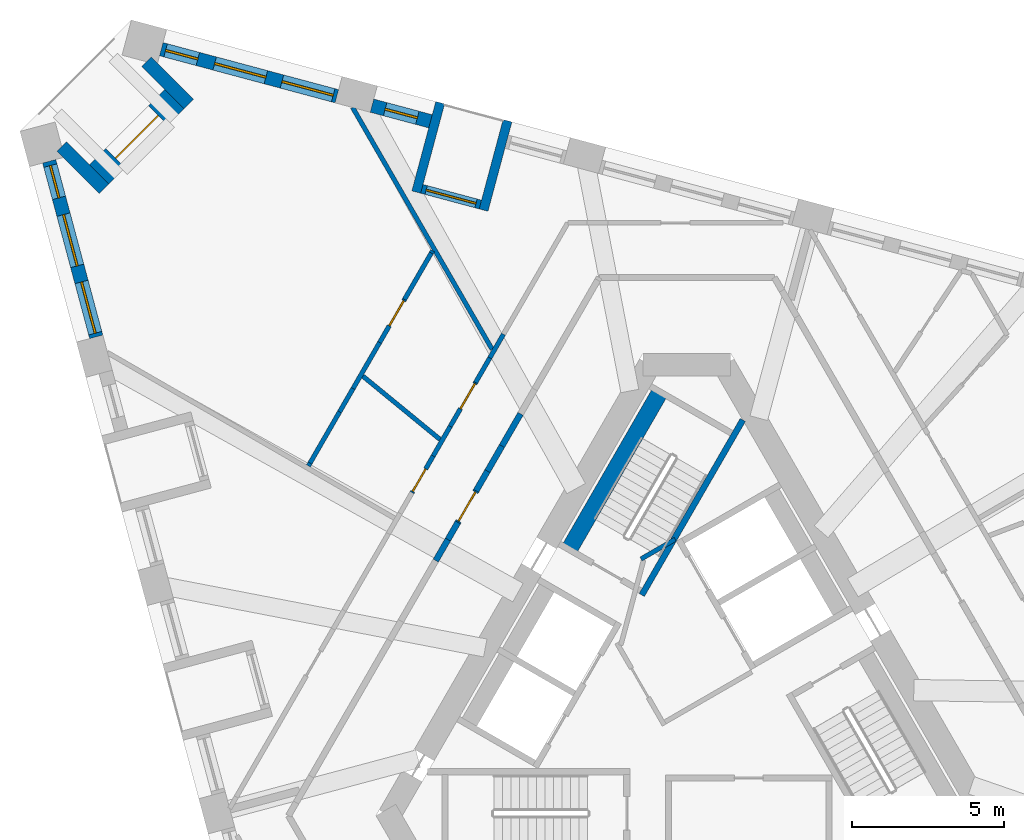
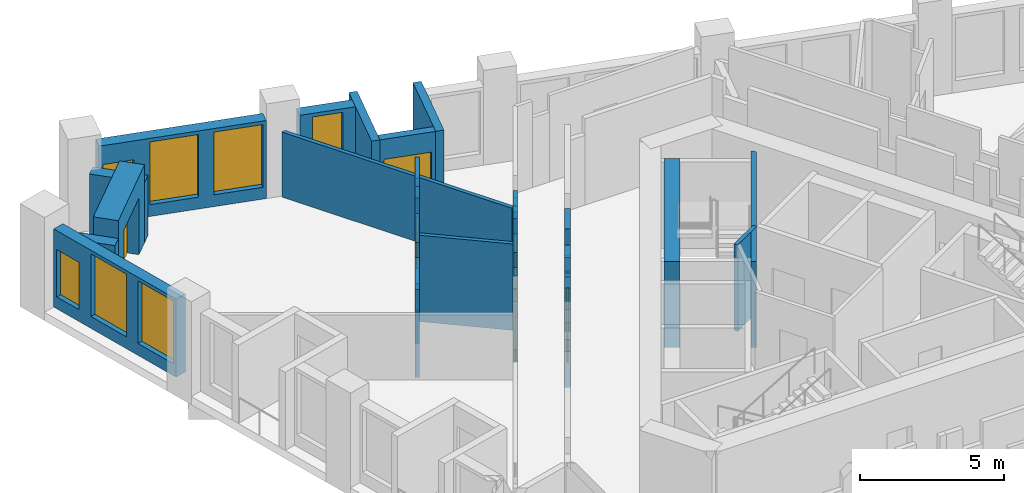
# One storey, part 7 of 13: 32 walls, 7 windows, 6 doors, 13 openings.
"""IFC4 building model written with IfcOpenShell, lengths in metres."""

from ifc_helpers import new_model, si_unit, direction, frame, frame_2d, origin, place, context, subcontext, project, spatial, polyline, rectangle, outline, extrude, material, layer, layer_set, type_object, element, fill, save


model = new_model("IFC4")

# Units and contexts
model_context = context("Model", 3, precision=1e-05, world=origin(), true_north=direction((0.0, 1.0)))
body_context = subcontext(model_context, "Body", "Model", "MODEL_VIEW")
ifc_project = project(units=[si_unit("LENGTHUNIT", "METRE"), si_unit("AREAUNIT", "SQUARE_METRE"), si_unit("VOLUMEUNIT", "CUBIC_METRE"), si_unit("PLANEANGLEUNIT", "RADIAN"), si_unit("MASSUNIT", "GRAM", prefix="KILO")], contexts=[model_context])

# Site, building, storey
site_placement = place(None, origin())
site = spatial("IfcSite", under=ifc_project, at=site_placement, CompositionType="ELEMENT")
building_placement = place(site_placement, origin())
building = spatial("IfcBuilding", under=site, at=building_placement, Name="Tramontana Tower", CompositionType="ELEMENT")
storey_placement = place(building_placement, frame((0.0, 0.0, 200.0)))
storey = spatial("IfcBuildingStorey", under=building, at=storey_placement, Name="L46", CompositionType="ELEMENT", Elevation=200.0)

# Walls
ifc_material_1 = material(Name="Blockwork", Category="masonry")
ifc_layer_1 = layer(ifc_material_1, 0.199951171875)
ifc_layer_set_1 = layer_set([ifc_layer_1], Name="ENTRY WALL 200")
wall_type_1 = type_object("IfcWallType", Name="ENTRY WALL 200", PredefinedType="SOLIDWALL", material=ifc_layer_set_1)
wall_1_placement = place(storey_placement, frame((-8.2783203125, 4.16162109375, 0.0), z_axis=(0.0, 0.0, 1.0), x_axis=(0.500109828528, 0.865961984968, 0.0)))
element("IfcWall", 1, at=wall_1_placement, inside=storey, type_object=wall_type_1, Name="Wall v50-ew4-5", PredefinedType="SOLIDWALL", context=body_context, shape_type="SweptSolid", body=[
    extrude(rectangle(XDim=0.800048828125, YDim=0.199951171875, at=frame_2d((0.39990234375, 0.0))), origin(), (0.0, 0.0, 1.0), 2.75),
])
wall_2_placement = place(storey_placement, frame((-7.878173828125, 4.8544921875, 0.0), z_axis=(0.0, 0.0, 1.0), x_axis=(0.499776065732, 0.866154653697, 0.0)))
element("IfcWall", 2, at=wall_2_placement, inside=storey, type_object=wall_type_1, Name="Wall v50-ew4-6", PredefinedType="SOLIDWALL", context=body_context, shape_type="SweptSolid", body=[
    extrude(rectangle(XDim=0.656982421875, YDim=0.199951171875, at=frame_2d((0.32861328125, 0.0))), origin(), (0.0, 0.0, 1.0), 3.64990234375),
])

# Wall, opening, door
wall_3_placement = place(storey_placement, frame((-7.5498046875, 5.423583984375, 0.0), z_axis=(0.0, 0.0, 1.0), x_axis=(0.500033551112, 0.866006032174, 0.0)))
wall_3 = element("IfcWall", 3, at=wall_3_placement, inside=storey, type_object=wall_type_1, Name="Wall v50-ew4-7", PredefinedType="SOLIDWALL", context=body_context, shape_type="SweptSolid", body=[
    extrude(outline(polyline([(0.0, 0.0), (1.2001953125, 0.0), (1.199951171875, 2.550048828125), (0.2666015625, 2.550048828125), (0.2666015625, 3.64990234375), (0.0, 3.64990234375), (0.0, 0.0)])), frame((0.0, 0.10009765625, 0.0), z_axis=(0.0, -1.0, 0.0), x_axis=(1.0, 0.0, 0.0)), (0.0, 0.0, 1.0), 0.199951171875),
])
opening_1_placement = place(wall_3_placement, frame((0.050048828125, 0.0, 0.0)))
opening_1 = element("IfcOpeningElement", 4, at=opening_1_placement, cuts=wall_3, Name="Opening B5A-22", PredefinedType="OPENING", context=body_context, shape_type="SweptSolid", body=[
    extrude(rectangle(XDim=1.10009765625, YDim=2.39990234375, at=frame_2d((0.550048828125, 1.199951171875))), frame((0.0, 0.10986328125, 0.0), z_axis=(0.0, -1.0, 0.0), x_axis=(1.0, 0.0, 0.0)), (0.0, 0.0, 1.0), 0.219970703125),
])
ifc_material_2 = material(Name="Painted timber", Category="wood")
door_type_1 = type_object("IfcDoorType", Name="DOOR ENTRY 1100", OperationType="SINGLE_SWING_LEFT", PredefinedType="DOOR", material=ifc_material_2)
door_1_placement = place(opening_1_placement, origin())
door_1 = element("IfcDoor", 5, at=door_1_placement, inside=storey, type_object=door_type_1, Name="Door B5A-22", OperationType="SINGLE_SWING_RIGHT", OverallHeight=2.39990234375, OverallWidth=1.10009765625, PredefinedType="DOOR", context=body_context, shape_type="SweptSolid", body=[
    extrude(rectangle(XDim=1.10009765625, YDim=2.39990234375, at=frame_2d((0.550048828125, 1.199951171875))), frame((0.0, 0.02490234375, 0.0), z_axis=(0.0, -1.0, 0.0), x_axis=(1.0, 0.0, 0.0)), (0.0, 0.0, 1.0), 0.050048828125),
])
fill(opening_1, door_1)

# Walls
wall_4_placement = place(storey_placement, frame((-6.94970703125, 6.462890625, 0.0), z_axis=(0.0, 0.0, 1.0), x_axis=(0.50020163859, 0.865908956387, 0.0)))
element("IfcWall", 6, at=wall_4_placement, inside=storey, type_object=wall_type_1, Name="Wall v50-ew4-8", PredefinedType="SOLIDWALL", context=body_context, shape_type="SweptSolid", body=[
    extrude(rectangle(XDim=0.749755859375, YDim=0.199951171875, at=frame_2d((0.375, 0.0))), origin(), (0.0, 0.0, 1.0), 3.64990234375),
])
wall_5_placement = place(storey_placement, frame((-6.57470703125, 7.112060546875, 0.0), z_axis=(0.0, 0.0, 1.0), x_axis=(0.499869636591, 0.866100656052, 0.0)))
element("IfcWall", 7, at=wall_5_placement, inside=storey, type_object=wall_type_1, Name="Wall v50-ew4-9", PredefinedType="SOLIDWALL", context=body_context, shape_type="SweptSolid", body=[
    extrude(rectangle(XDim=0.957275390625, YDim=0.199951171875, at=frame_2d((0.478515625, 0.0))), origin(), (0.0, 0.0, 1.0), 2.550048828125),
])
wall_6_placement = place(storey_placement, frame((-6.09619140625, 7.941162109375, 0.0), z_axis=(0.0, 0.0, 1.0), x_axis=(0.500055461028, 0.865993380977, 0.0)))
element("IfcWall", 8, at=wall_6_placement, inside=storey, type_object=wall_type_1, Name="Wall v50-ew4-10", PredefinedType="SOLIDWALL", context=body_context, shape_type="SweptSolid", body=[
    extrude(rectangle(XDim=1.226806640625, YDim=0.199951171875, at=frame_2d((0.61328125, 0.0))), origin(), (0.0, 0.0, 1.0), 3.64990234375),
])

# Wall, openings, windows
ifc_material_3 = material(Name="Precast concrete 60 MPa", Category="concrete")
ifc_layer_2 = layer(ifc_material_3, 0.449951171875)
ifc_layer_set_2 = layer_set([ifc_layer_2], Name="Precast concrete 60 MPa, 450 mm")
wall_type_2 = type_object("IfcWallType", Name="EW1 Stone-faced precast wall 450", PredefinedType="SOLIDWALL", material=ifc_layer_set_2)
wall_7_placement = place(storey_placement, frame((-21.027099609375, 17.3310546875, 0.0), z_axis=(0.0, 0.0, 1.0), x_axis=(0.258831089404, -0.965922598948, 0.0)))
wall_7 = element("IfcWall", 9, at=wall_7_placement, inside=storey, type_object=wall_type_2, Name="External wall L46 face 0 bay 1", PredefinedType="SOLIDWALL", context=body_context, shape_type="SweptSolid", body=[
    extrude(rectangle(XDim=5.994384765625, YDim=0.449951171875, at=frame_2d((2.9970703125, 0.0))), origin(), (0.0, 0.0, 1.0), 3.300048828125),
])
opening_2_placement = place(wall_7_placement, frame((0.14892578125, 0.0, 0.5)))
opening_2 = element("IfcOpeningElement", 10, at=opening_2_placement, cuts=wall_7, Name="Opening N2L", PredefinedType="OPENING", context=body_context, shape_type="SweptSolid", body=[
    extrude(rectangle(XDim=1.10009765625, YDim=2.0, at=frame_2d((0.550048828125, 1.0))), frame((0.0, 0.23486328125, 0.0), z_axis=(0.0, -1.0, 0.0), x_axis=(1.0, 0.0, 0.0)), (0.0, 0.0, 1.0), 0.469970703125),
])
opening_3_placement = place(wall_7_placement, frame((1.822021484375, 0.0, 0.5)))
opening_3 = element("IfcOpeningElement", 11, at=opening_3_placement, cuts=wall_7, Name="Opening M2", PredefinedType="OPENING", context=body_context, shape_type="SweptSolid", body=[
    extrude(rectangle(XDim=1.75, YDim=2.64990234375, at=frame_2d((0.875, 1.324951171875))), frame((0.0, 0.23486328125, 0.0), z_axis=(0.0, -1.0, 0.0), x_axis=(1.0, 0.0, 0.0)), (0.0, 0.0, 1.0), 0.469970703125),
])
opening_4_placement = place(wall_7_placement, frame((4.1201171875, 0.0, 0.5)))
opening_4 = element("IfcOpeningElement", 12, at=opening_4_placement, cuts=wall_7, Name="Opening M2", PredefinedType="OPENING", context=body_context, shape_type="SweptSolid", body=[
    extrude(rectangle(XDim=1.75, YDim=2.64990234375, at=frame_2d((0.875, 1.324951171875))), frame((0.0, 0.23486328125, 0.0), z_axis=(0.0, -1.0, 0.0), x_axis=(1.0, 0.0, 0.0)), (0.0, 0.0, 1.0), 0.469970703125),
])
ifc_material_4 = material(Name="Aluminum frame, double glazing unit", Category="aluminium")
window_type_1 = type_object("IfcWindowType", Name="M2 Window 1.75 x 2.65", PartitioningType="SINGLE_PANEL", PredefinedType="WINDOW", material=ifc_material_4)
window_1_placement = place(opening_3_placement, origin())
window_1 = element("IfcWindow", 13, at=window_1_placement, inside=storey, type_object=window_type_1, Name="Window M2 L46 face 0 module 2", OverallHeight=2.64990234375, OverallWidth=1.75, PartitioningType="SINGLE_PANEL", PredefinedType="WINDOW", context=body_context, shape_type="SweptSolid", body=[
    extrude(rectangle(XDim=1.75, YDim=2.64990234375, at=frame_2d((0.875, 1.324951171875))), frame((0.0, 0.030029296875, 0.0), z_axis=(0.0, -1.0, 0.0), x_axis=(1.0, 0.0, 0.0)), (0.0, 0.0, 1.0), 0.06005859375),
])
fill(opening_3, window_1)
window_2_placement = place(opening_4_placement, origin())
window_2 = element("IfcWindow", 14, at=window_2_placement, inside=storey, type_object=window_type_1, Name="Window M2 L46 face 0 module 3", OverallHeight=2.64990234375, OverallWidth=1.75, PartitioningType="SINGLE_PANEL", PredefinedType="WINDOW", context=body_context, shape_type="SweptSolid", body=[
    extrude(rectangle(XDim=1.75, YDim=2.64990234375, at=frame_2d((0.875, 1.324951171875))), frame((0.0, 0.030029296875, 0.0), z_axis=(0.0, -1.0, 0.0), x_axis=(1.0, 0.0, 0.0)), (0.0, 0.0, 1.0), 0.06005859375),
])
fill(opening_4, window_2)
ifc_material_5 = material(Name="Aluminum frame, double glazing unit", Category="aluminium")
window_type_2 = type_object("IfcWindowType", Name="N2L Window 1.1 x 2", PartitioningType="SINGLE_PANEL", PredefinedType="WINDOW", material=ifc_material_5)
window_3_placement = place(opening_2_placement, origin())
window_3 = element("IfcWindow", 15, at=window_3_placement, inside=storey, type_object=window_type_2, Name="Window N2L L46 face 0 module 1", OverallHeight=2.0, OverallWidth=1.10009765625, PartitioningType="SINGLE_PANEL", PredefinedType="WINDOW", context=body_context, shape_type="SweptSolid", body=[
    extrude(rectangle(XDim=1.10009765625, YDim=2.0, at=frame_2d((0.550048828125, 1.0))), frame((0.0, 0.030029296875, 0.0), z_axis=(0.0, -1.0, 0.0), x_axis=(1.0, 0.0, 0.0)), (0.0, 0.0, 1.0), 0.06005859375),
])
fill(opening_2, window_3)

# Wall, opening, window
wall_8_placement = place(storey_placement, frame((-8.451904296875, 18.64794921875, 0.0), z_axis=(0.0, 0.0, 1.0), x_axis=(-0.96593005298, 0.258803270362, 0.0)))
wall_8 = element("IfcWall", 16, at=wall_8_placement, inside=storey, type_object=wall_type_2, Name="External wall L46 face 2 bay 5", PredefinedType="SOLIDWALL", context=body_context, shape_type="SweptSolid", body=[
    extrude(rectangle(XDim=1.998046875, YDim=0.449951171875, at=frame_2d((0.9990234375, 0.0))), origin(), (0.0, 0.0, 1.0), 3.300048828125),
])
opening_5_placement = place(wall_8_placement, frame((0.448974609375, 0.0, 0.5)))
opening_5 = element("IfcOpeningElement", 17, at=opening_5_placement, cuts=wall_8, Name="Opening N2", PredefinedType="OPENING", context=body_context, shape_type="SweptSolid", body=[
    extrude(rectangle(XDim=1.10009765625, YDim=2.64990234375, at=frame_2d((0.550048828125, 1.324951171875))), frame((0.0, 0.23486328125, 0.0), z_axis=(0.0, -1.0, 0.0), x_axis=(1.0, 0.0, 0.0)), (0.0, 0.0, 1.0), 0.469970703125),
])
ifc_material_6 = material(Name="Aluminum frame, double glazing unit", Category="aluminium")
window_type_3 = type_object("IfcWindowType", Name="N2 Window 1.1 x 2.65", PartitioningType="SINGLE_PANEL", PredefinedType="WINDOW", material=ifc_material_6)
window_4_placement = place(opening_5_placement, origin())
window_4 = element("IfcWindow", 18, at=window_4_placement, inside=storey, type_object=window_type_3, Name="Window N2 L46 face 2 module 15", OverallHeight=2.64990234375, OverallWidth=1.10009765625, PartitioningType="SINGLE_PANEL", PredefinedType="WINDOW", context=body_context, shape_type="SweptSolid", body=[
    extrude(rectangle(XDim=1.10009765625, YDim=2.64990234375, at=frame_2d((0.550048828125, 1.324951171875))), frame((0.0, 0.030029296875, 0.0), z_axis=(0.0, -1.0, 0.0), x_axis=(1.0, 0.0, 0.0)), (0.0, 0.0, 1.0), 0.06005859375),
])
fill(opening_5, window_4)

# Wall, openings, windows
wall_9_placement = place(storey_placement, frame((-11.541015625, 19.4755859375, 0.0), z_axis=(0.0, 0.0, 1.0), x_axis=(-0.965922598948, 0.258831089404, 0.0)))
wall_9 = element("IfcWall", 19, at=wall_9_placement, inside=storey, type_object=wall_type_2, Name="External wall L46 face 2 bay 6", PredefinedType="SOLIDWALL", context=body_context, shape_type="SweptSolid", body=[
    extrude(rectangle(XDim=5.994384765625, YDim=0.449951171875, at=frame_2d((2.9970703125, 0.0))), origin(), (0.0, 0.0, 1.0), 3.300048828125),
])
opening_6_placement = place(wall_9_placement, frame((0.1240234375, 0.0, 0.5)))
opening_6 = element("IfcOpeningElement", 20, at=opening_6_placement, cuts=wall_9, Name="Opening M2", PredefinedType="OPENING", context=body_context, shape_type="SweptSolid", body=[
    extrude(rectangle(XDim=1.75, YDim=2.64990234375, at=frame_2d((0.875, 1.324951171875))), frame((0.0, 0.23486328125, 0.0), z_axis=(0.0, -1.0, 0.0), x_axis=(1.0, 0.0, 0.0)), (0.0, 0.0, 1.0), 0.469970703125),
])
opening_7_placement = place(wall_9_placement, frame((2.422119140625, 0.0, 0.5)))
opening_7 = element("IfcOpeningElement", 21, at=opening_7_placement, cuts=wall_9, Name="Opening M2", PredefinedType="OPENING", context=body_context, shape_type="SweptSolid", body=[
    extrude(rectangle(XDim=1.75, YDim=2.64990234375, at=frame_2d((0.875, 1.324951171875))), frame((0.0, 0.23486328125, 0.0), z_axis=(0.0, -1.0, 0.0), x_axis=(1.0, 0.0, 0.0)), (0.0, 0.0, 1.0), 0.469970703125),
])
opening_8_placement = place(wall_9_placement, frame((4.7451171875, 0.0, 0.5)))
opening_8 = element("IfcOpeningElement", 22, at=opening_8_placement, cuts=wall_9, Name="Opening N2L", PredefinedType="OPENING", context=body_context, shape_type="SweptSolid", body=[
    extrude(rectangle(XDim=1.10009765625, YDim=2.0, at=frame_2d((0.550048828125, 1.0))), frame((0.0, 0.23486328125, 0.0), z_axis=(0.0, -1.0, 0.0), x_axis=(1.0, 0.0, 0.0)), (0.0, 0.0, 1.0), 0.469970703125),
])
window_5_placement = place(opening_6_placement, origin())
window_5 = element("IfcWindow", 23, at=window_5_placement, inside=storey, type_object=window_type_1, Name="Window M2 L46 face 2 module 16", OverallHeight=2.64990234375, OverallWidth=1.75, PartitioningType="SINGLE_PANEL", PredefinedType="WINDOW", context=body_context, shape_type="SweptSolid", body=[
    extrude(rectangle(XDim=1.75, YDim=2.64990234375, at=frame_2d((0.875, 1.324951171875))), frame((0.0, 0.030029296875, 0.0), z_axis=(0.0, -1.0, 0.0), x_axis=(1.0, 0.0, 0.0)), (0.0, 0.0, 1.0), 0.06005859375),
])
fill(opening_6, window_5)
window_6_placement = place(opening_7_placement, origin())
window_6 = element("IfcWindow", 24, at=window_6_placement, inside=storey, type_object=window_type_1, Name="Window M2 L46 face 2 module 17", OverallHeight=2.64990234375, OverallWidth=1.75, PartitioningType="SINGLE_PANEL", PredefinedType="WINDOW", context=body_context, shape_type="SweptSolid", body=[
    extrude(rectangle(XDim=1.75, YDim=2.64990234375, at=frame_2d((0.875, 1.324951171875))), frame((0.0, 0.030029296875, 0.0), z_axis=(0.0, -1.0, 0.0), x_axis=(1.0, 0.0, 0.0)), (0.0, 0.0, 1.0), 0.06005859375),
])
fill(opening_7, window_6)
window_7_placement = place(opening_8_placement, origin())
window_7 = element("IfcWindow", 25, at=window_7_placement, inside=storey, type_object=window_type_2, Name="Window N2L L46 face 2 module 18", OverallHeight=2.0, OverallWidth=1.10009765625, PartitioningType="SINGLE_PANEL", PredefinedType="WINDOW", context=body_context, shape_type="SweptSolid", body=[
    extrude(rectangle(XDim=1.10009765625, YDim=2.0, at=frame_2d((0.550048828125, 1.0))), frame((0.0, 0.030029296875, 0.0), z_axis=(0.0, -1.0, 0.0), x_axis=(1.0, 0.0, 0.0)), (0.0, 0.0, 1.0), 0.06005859375),
])
fill(opening_8, window_7)

# Walls
for number, where, z_axis, x_axis, name in (
    (26, (-20.615234375, 17.822021484375, 0.0), (0.0, 0.0, 1.0), (0.70716845375, -0.707045103244, 0.0), "Corner loggia side wall L46 K50l"),
    (27, (-17.822021484375, 20.615234375, 0.0), (0.0, 0.0, 1.0), (0.707045103244, -0.70716845375, 0.0), "Corner loggia side wall L46 K50r"),
):
    element("IfcWall", number, at=place(storey_placement, frame(where, z_axis=z_axis, x_axis=x_axis)), inside=storey, type_object=wall_type_2, Name=name, PredefinedType="SOLIDWALL", context=body_context, shape_type="SweptSolid", body=[
        extrude(rectangle(XDim=1.979248046875, YDim=0.449951171875, at=frame_2d((0.98974609375, 0.0))), origin(), (0.0, 0.0, 1.0), 2.550048828125),
    ])

# Wall, opening, door
ifc_material_7 = material(Name="Precast concrete 60 MPa", Category="concrete")
ifc_layer_3 = layer(ifc_material_7, 0.89990234375)
ifc_layer_set_3 = layer_set([ifc_layer_3], Name="EW2 Stone-faced corner loggia wall 900")
wall_type_3 = type_object("IfcWallType", Name="EW2 Stone-faced corner loggia wall 900", PredefinedType="SOLIDWALL", material=ifc_layer_set_3)
wall_10_placement = place(storey_placement, frame((-19.374755859375, 16.89990234375, 0.0), z_axis=(0.0, 0.0, 1.0), x_axis=(0.707106781187, 0.707106781187, 0.0)))
wall_10 = element("IfcWall", 28, at=wall_10_placement, inside=storey, type_object=wall_type_3, Name="Corner loggia wall L46 K50", PredefinedType="SOLIDWALL", context=body_context, shape_type="SweptSolid", body=[
    extrude(rectangle(XDim=3.5, YDim=0.89990234375, at=frame_2d((1.75, 0.0))), origin(), (0.0, 0.0, 1.0), 3.300048828125),
])
opening_9_placement = place(wall_10_placement, frame((0.75, 0.0, 0.0)))
opening_9 = element("IfcOpeningElement", 29, at=opening_9_placement, cuts=wall_10, Name="Opening BD-50C", PredefinedType="OPENING", context=body_context, shape_type="SweptSolid", body=[
    extrude(rectangle(XDim=2.0, YDim=2.39990234375, at=frame_2d((1.0, 1.199951171875))), frame((0.0, 0.4599609375, 0.0), z_axis=(0.0, -1.0, 0.0), x_axis=(1.0, 0.0, 0.0)), (0.0, 0.0, 1.0), 0.919921875),
])
ifc_material_8 = material(Name="Aluminum frame, double glazing unit", Category="aluminium")
door_type_2 = type_object("IfcDoorType", Name="BC1 Sliding door 2 x 2.4", OperationType="SLIDING_TO_LEFT", PredefinedType="DOOR", material=ifc_material_8)
door_2_placement = place(opening_9_placement, origin())
door_2 = element("IfcDoor", 30, at=door_2_placement, inside=storey, type_object=door_type_2, Name="Corner loggia door L46 K50", OperationType="SLIDING_TO_LEFT", OverallHeight=2.39990234375, OverallWidth=2.0, PredefinedType="DOOR", context=body_context, shape_type="SweptSolid", body=[
    extrude(rectangle(XDim=2.0, YDim=2.39990234375, at=frame_2d((1.0, 1.199951171875))), frame((0.0, 0.02490234375, 0.0), z_axis=(0.0, -1.0, 0.0), x_axis=(1.0, 0.0, 0.0)), (0.0, 0.0, 1.0), 0.050048828125),
])
fill(opening_9, door_2)

ifc_material_9 = material(Name="Precast concrete 60 MPa", Category="concrete")
ifc_layer_4 = layer(ifc_material_9, 0.300048828125)
ifc_layer_set_4 = layer_set([ifc_layer_4], Name="LW1 Stone-faced loggia wall 300")
wall_type_4 = type_object("IfcWallType", Name="LW1 Stone-faced loggia wall 300", PredefinedType="SOLIDWALL", material=ifc_layer_set_4)
wall_11_placement = place(storey_placement, frame((-6.80810546875, 15.904052734375, 0.0), z_axis=(0.0, 0.0, 1.0), x_axis=(-0.96593005298, 0.258803270362, 0.0)))
wall_11 = element("IfcWall", 31, at=wall_11_placement, inside=storey, type_object=wall_type_4, Name="Loggia wall L46 G5S2.13", PredefinedType="SOLIDWALL", context=body_context, shape_type="SweptSolid", body=[
    extrude(rectangle(XDim=1.998046875, YDim=0.300048828125, at=frame_2d((0.9990234375, 0.0))), origin(), (0.0, 0.0, 1.0), 3.300048828125),
])
opening_10_placement = place(wall_11_placement, frame((0.14892578125, 0.0, 0.0)))
opening_10 = element("IfcOpeningElement", 32, at=opening_10_placement, cuts=wall_11, Name="Opening BD-5S2-13", PredefinedType="OPENING", context=body_context, shape_type="SweptSolid", body=[
    extrude(rectangle(XDim=1.699951171875, YDim=2.449951171875, at=frame_2d((0.85009765625, 1.22509765625))), frame((0.0, 0.159912109375, 0.0), z_axis=(0.0, -1.0, 0.0), x_axis=(1.0, 0.0, 0.0)), (0.0, 0.0, 1.0), 0.320068359375),
])
ifc_material_10 = material(Name="Aluminum frame, double glazing unit", Category="aluminium")
door_type_3 = type_object("IfcDoorType", Name="BD2 Sliding door 1.7 x 2.45", OperationType="SLIDING_TO_LEFT", PredefinedType="DOOR", material=ifc_material_10)
door_3_placement = place(opening_10_placement, origin())
door_3 = element("IfcDoor", 33, at=door_3_placement, inside=storey, type_object=door_type_3, Name="Loggia door L46 G5S2.13", OperationType="SLIDING_TO_LEFT", OverallHeight=2.449951171875, OverallWidth=1.699951171875, PredefinedType="DOOR", context=body_context, shape_type="SweptSolid", body=[
    extrude(rectangle(XDim=1.699951171875, YDim=2.449951171875, at=frame_2d((0.85009765625, 1.22509765625))), frame((0.0, 0.02490234375, 0.0), z_axis=(0.0, -1.0, 0.0), x_axis=(1.0, 0.0, 0.0)), (0.0, 0.0, 1.0), 0.050048828125),
])
fill(opening_10, door_3)

# Walls
wall_12_placement = place(storey_placement, frame((-5.91259765625, 18.666259765625, 0.0), z_axis=(0.0, 0.0, 1.0), x_axis=(-0.258793435045, -0.965932688119, 0.0)))
element("IfcWall", 34, at=wall_12_placement, inside=storey, type_object=wall_type_4, Name="Loggia return L46 G5S2.13a", PredefinedType="SOLIDWALL", context=body_context, shape_type="SweptSolid", body=[
    extrude(rectangle(XDim=3.050048828125, YDim=0.300048828125, at=frame_2d((1.52490234375, 0.0))), origin(), (0.0, 0.0, 1.0), 3.300048828125),
])
wall_13_placement = place(storey_placement, frame((-8.13232421875, 19.26123046875, 0.0), z_axis=(0.0, 0.0, 1.0), x_axis=(-0.25877342651, -0.9659380486, 0.0)))
element("IfcWall", 35, at=wall_13_placement, inside=storey, type_object=wall_type_4, Name="Loggia return L46 G5S2.13b", PredefinedType="SOLIDWALL", context=body_context, shape_type="SweptSolid", body=[
    extrude(rectangle(XDim=3.05029296875, YDim=0.300048828125, at=frame_2d((1.525146484375, 0.0))), origin(), (0.0, 0.0, 1.0), 3.300048828125),
])
ifc_material_11 = material(Name="Gypsum board partition")
ifc_layer_5 = layer(ifc_material_11, 0.14990234375)
ifc_layer_set_5 = layer_set([ifc_layer_5], Name="PARTITION 150")
wall_type_5 = type_object("IfcWallType", Name="PARTITION 150", PredefinedType="PARTITIONING", material=ifc_layer_set_5)
wall_14_placement = place(storey_placement, frame((-1.509765625, 4.21484375, 0.0), z_axis=(0.0, 0.0, 1.0), x_axis=(0.866085525409, 0.49989585183, 0.0)))
element("IfcWall", 36, at=wall_14_placement, inside=storey, type_object=wall_type_5, Name="Wall ff-end1", PredefinedType="PARTITIONING", context=body_context, shape_type="SweptSolid", body=[
    extrude(rectangle(XDim=1.300048828125, YDim=0.14990234375, at=frame_2d((0.64990234375, 0.0))), origin(), (0.0, 0.0, 1.0), 3.64990234375),
])

# Wall, opening, door
wall_15_placement = place(storey_placement, frame((-9.062744140625, 6.40283203125, 0.0), z_axis=(0.0, 0.0, 1.0), x_axis=(0.500030071784, 0.866008041136, 0.0)))
wall_15 = element("IfcWall", 37, at=wall_15_placement, inside=storey, type_object=wall_type_5, Name="Wall v50-pw00-6", PredefinedType="PARTITIONING", context=body_context, shape_type="SweptSolid", body=[
    extrude(outline(polyline([(0.0, 0.0), (1.39697265625, 0.0), (1.39697265625, 2.550048828125), (0.508056640625, 2.550048828125), (0.508056640625, 3.64990234375), (0.0, 3.64990234375), (0.0, 0.0)])), frame((0.0, 0.074951171875, 0.0), z_axis=(0.0, -1.0, 0.0), x_axis=(1.0, 0.0, 0.0)), (0.0, 0.0, 1.0), 0.14990234375),
])
opening_11_placement = place(wall_15_placement, frame((0.050048828125, 0.0, 0.0)))
opening_11 = element("IfcOpeningElement", 38, at=opening_11_placement, cuts=wall_15, Name="Opening B5A-02", PredefinedType="OPENING", context=body_context, shape_type="SweptSolid", body=[
    extrude(rectangle(XDim=0.85009765625, YDim=2.39990234375, at=frame_2d((0.425048828125, 1.199951171875))), frame((0.0, 0.0849609375, 0.0), z_axis=(0.0, -1.0, 0.0), x_axis=(1.0, 0.0, 0.0)), (0.0, 0.0, 1.0), 0.169921875),
])
ifc_material_12 = material(Name="Painted timber", Category="wood")
door_type_4 = type_object("IfcDoorType", Name="DOOR BATH 850", OperationType="SINGLE_SWING_LEFT", PredefinedType="DOOR", material=ifc_material_12)
door_4_placement = place(opening_11_placement, origin())
door_4 = element("IfcDoor", 39, at=door_4_placement, inside=storey, type_object=door_type_4, Name="Door B5A-02", OperationType="SINGLE_SWING_RIGHT", OverallHeight=2.39990234375, OverallWidth=0.85009765625, PredefinedType="DOOR", context=body_context, shape_type="SweptSolid", body=[
    extrude(rectangle(XDim=0.85009765625, YDim=2.39990234375, at=frame_2d((0.425048828125, 1.199951171875))), frame((0.0, 0.02490234375, 0.0), z_axis=(0.0, -1.0, 0.0), x_axis=(1.0, 0.0, 0.0)), (0.0, 0.0, 1.0), 0.050048828125),
])
fill(opening_11, door_4)

# Wall
wall_16_placement = place(storey_placement, frame((-8.3642578125, 7.612548828125, 0.0), z_axis=(0.0, 0.0, 1.0), x_axis=(0.499891270366, 0.866088169768, 0.0)))
element("IfcWall", 40, at=wall_16_placement, inside=storey, type_object=wall_type_5, Name="Wall v50-pw00-7", PredefinedType="PARTITIONING", context=body_context, shape_type="SweptSolid", body=[
    extrude(rectangle(XDim=1.126708984375, YDim=0.14990234375, at=frame_2d((0.5634765625, 0.0))), origin(), (0.0, 0.0, 1.0), 3.64990234375),
])

# Wall, opening, door
wall_17_placement = place(storey_placement, frame((-7.801025390625, 8.58837890625, 0.0), z_axis=(0.0, 0.0, 1.0), x_axis=(0.500017322015, 0.866015402684, 0.0)))
wall_17 = element("IfcWall", 41, at=wall_17_placement, inside=storey, type_object=wall_type_5, Name="Wall v50-pw00-8", PredefinedType="PARTITIONING", context=body_context, shape_type="SweptSolid", body=[
    extrude(outline(polyline([(0.0, 0.0), (1.67236328125, 0.0), (1.672607421875, 3.64990234375), (0.9306640625, 3.64990234375), (0.9306640625, 2.550048828125), (0.0, 2.550048828125), (0.0, 0.0)])), frame((0.0, 0.074951171875, 0.0), z_axis=(0.0, -1.0, 0.0), x_axis=(1.0, 0.0, 0.0)), (0.0, 0.0, 1.0), 0.14990234375),
])
opening_12_placement = place(wall_17_placement, frame((0.672607421875, 0.0, 0.0)))
opening_12 = element("IfcOpeningElement", 42, at=opening_12_placement, cuts=wall_17, Name="Opening B5A-01", PredefinedType="OPENING", context=body_context, shape_type="SweptSolid", body=[
    extrude(rectangle(XDim=0.949951171875, YDim=2.39990234375, at=frame_2d((0.47509765625, 1.199951171875))), frame((0.0, 0.0849609375, 0.0), z_axis=(0.0, -1.0, 0.0), x_axis=(1.0, 0.0, 0.0)), (0.0, 0.0, 1.0), 0.169921875),
])
ifc_material_13 = material(Name="Painted timber", Category="wood")
door_type_5 = type_object("IfcDoorType", Name="DOOR ROOM 950", OperationType="SINGLE_SWING_LEFT", PredefinedType="DOOR", material=ifc_material_13)
door_5_placement = place(opening_12_placement, origin())
door_5 = element("IfcDoor", 43, at=door_5_placement, inside=storey, type_object=door_type_5, Name="Door B5A-01", OperationType="SINGLE_SWING_LEFT", OverallHeight=2.39990234375, OverallWidth=0.949951171875, PredefinedType="DOOR", context=body_context, shape_type="SweptSolid", body=[
    extrude(rectangle(XDim=0.949951171875, YDim=2.39990234375, at=frame_2d((0.47509765625, 1.199951171875))), frame((0.0, 0.02490234375, 0.0), z_axis=(0.0, -1.0, 0.0), x_axis=(1.0, 0.0, 0.0)), (0.0, 0.0, 1.0), 0.050048828125),
])
fill(opening_12, door_5)

# Walls
wall_18_placement = place(storey_placement, frame((-6.96484375, 10.03662109375, 0.0), z_axis=(0.0, 0.0, 1.0), x_axis=(0.499955859829, 0.866050886624, 0.0)))
element("IfcWall", 44, at=wall_18_placement, inside=storey, type_object=wall_type_5, Name="Wall v50-pw00-9", PredefinedType="PARTITIONING", context=body_context, shape_type="SweptSolid", body=[
    extrude(rectangle(XDim=0.935546875, YDim=0.14990234375, at=frame_2d((0.4677734375, 0.0))), origin(), (0.0, 0.0, 1.0), 3.64990234375),
])
wall_19_placement = place(storey_placement, frame((-6.4970703125, 10.846923828125, 0.0), z_axis=(0.0, 0.0, 1.0), x_axis=(0.500065807255, 0.865987406614, 0.0)))
element("IfcWall", 45, at=wall_19_placement, inside=storey, type_object=wall_type_5, Name="Wall v50-pw00-10", PredefinedType="PARTITIONING", context=body_context, shape_type="SweptSolid", body=[
    extrude(rectangle(XDim=0.90283203125, YDim=0.14990234375, at=frame_2d((0.451416015625, 0.0))), origin(), (0.0, 0.0, 1.0), 2.75),
])
wall_20_placement = place(storey_placement, frame((-12.479248046875, 7.285400390625, 0.0), z_axis=(0.0, 0.0, 1.0), x_axis=(0.499327634179, 0.86641324652, 0.0)))
element("IfcWall", 46, at=wall_20_placement, inside=storey, type_object=wall_type_5, Name="Wall v50-pw02-0", PredefinedType="PARTITIONING", context=body_context, shape_type="SweptSolid", body=[
    extrude(rectangle(XDim=0.107177734375, YDim=0.14990234375, at=frame_2d((0.0537109375, 0.0))), origin(), (0.0, 0.0, 1.0), 2.75),
])
wall_21_placement = place(storey_placement, frame((-12.42578125, 7.378173828125, 0.0), z_axis=(0.0, 0.0, 1.0), x_axis=(0.500098182527, 0.865968710655, 0.0)))
element("IfcWall", 47, at=wall_21_placement, inside=storey, type_object=wall_type_5, Name="Wall v50-pw02-1", PredefinedType="PARTITIONING", context=body_context, shape_type="SweptSolid", body=[
    extrude(rectangle(XDim=1.94970703125, YDim=0.14990234375, at=frame_2d((0.974853515625, 0.0))), origin(), (0.0, 0.0, 1.0), 3.64990234375),
])
wall_22_placement = place(storey_placement, frame((-11.45068359375, 9.066650390625, 0.0), z_axis=(0.0, 0.0, 1.0), x_axis=(0.499920601425, 0.866071239721, 0.0)))
element("IfcWall", 48, at=wall_22_placement, inside=storey, type_object=wall_type_5, Name="Wall v50-pw02-2", PredefinedType="PARTITIONING", context=body_context, shape_type="SweptSolid", body=[
    extrude(rectangle(XDim=0.888916015625, YDim=0.14990234375, at=frame_2d((0.4443359375, 0.0))), origin(), (0.0, 0.0, 1.0), 2.550048828125),
])
wall_23_placement = place(storey_placement, frame((-11.00634765625, 9.83642578125, 0.0), z_axis=(0.0, 0.0, 1.0), x_axis=(0.500047902311, 0.865997745606, 0.0)))
element("IfcWall", 49, at=wall_23_placement, inside=storey, type_object=wall_type_5, Name="Wall v50-pw02-3", PredefinedType="PARTITIONING", context=body_context, shape_type="SweptSolid", body=[
    extrude(rectangle(XDim=1.753173828125, YDim=0.14990234375, at=frame_2d((0.87646484375, 0.0))), origin(), (0.0, 0.0, 1.0), 3.64990234375),
])

# Wall, opening, door
wall_24_placement = place(storey_placement, frame((-10.129638671875, 11.354736328125, 0.0), z_axis=(0.0, 0.0, 1.0), x_axis=(0.49996740399, 0.866044222282, 0.0)))
wall_24 = element("IfcWall", 50, at=wall_24_placement, inside=storey, type_object=wall_type_5, Name="Wall v50-pw02-4", PredefinedType="PARTITIONING", context=body_context, shape_type="SweptSolid", body=[
    extrude(outline(polyline([(0.0, 0.0), (1.63916015625, 0.0), (1.63916015625, 3.64990234375), (0.9306640625, 3.64990234375), (0.9306640625, 2.550048828125), (0.0, 2.550048828125), (0.0, 0.0)])), frame((0.0, 0.074951171875, 0.0), z_axis=(0.0, -1.0, 0.0), x_axis=(1.0, 0.0, 0.0)), (0.0, 0.0, 1.0), 0.14990234375),
])
opening_13_placement = place(wall_24_placement, frame((0.63916015625, 0.0, 0.0)))
opening_13 = element("IfcOpeningElement", 51, at=opening_13_placement, cuts=wall_24, Name="Opening B5A-17", PredefinedType="OPENING", context=body_context, shape_type="SweptSolid", body=[
    extrude(rectangle(XDim=0.949951171875, YDim=2.39990234375, at=frame_2d((0.47509765625, 1.199951171875))), frame((0.0, 0.0849609375, 0.0), z_axis=(0.0, -1.0, 0.0), x_axis=(1.0, 0.0, 0.0)), (0.0, 0.0, 1.0), 0.169921875),
])
door_6_placement = place(opening_13_placement, origin())
door_6 = element("IfcDoor", 52, at=door_6_placement, inside=storey, type_object=door_type_5, Name="Door B5A-17", OperationType="SINGLE_SWING_LEFT", OverallHeight=2.39990234375, OverallWidth=0.949951171875, PredefinedType="DOOR", context=body_context, shape_type="SweptSolid", body=[
    extrude(rectangle(XDim=0.949951171875, YDim=2.39990234375, at=frame_2d((0.47509765625, 1.199951171875))), frame((0.0, 0.02490234375, 0.0), z_axis=(0.0, -1.0, 0.0), x_axis=(1.0, 0.0, 0.0)), (0.0, 0.0, 1.0), 0.050048828125),
])
fill(opening_13, door_6)

# Walls
wall_25_placement = place(storey_placement, frame((-9.31005859375, 12.7744140625, 0.0), z_axis=(0.0, 0.0, 1.0), x_axis=(0.50001746176, 0.866015321998, 0.0)))
element("IfcWall", 53, at=wall_25_placement, inside=storey, type_object=wall_type_5, Name="Wall v50-pw02-5", PredefinedType="PARTITIONING", context=body_context, shape_type="SweptSolid", body=[
    extrude(rectangle(XDim=1.76708984375, YDim=0.14990234375, at=frame_2d((0.883544921875, 0.0))), origin(), (0.0, 0.0, 1.0), 3.64990234375),
])
wall_26_placement = place(storey_placement, frame((-8.426513671875, 14.3046875, 0.0), z_axis=(0.0, 0.0, 1.0), x_axis=(0.498523158552, 0.86687638126, 0.0)))
element("IfcWall", 54, at=wall_26_placement, inside=storey, type_object=wall_type_5, Name="Wall v50-pw02-6", PredefinedType="PARTITIONING", context=body_context, shape_type="SweptSolid", body=[
    extrude(rectangle(XDim=0.088134765625, YDim=0.14990234375, at=frame_2d((0.0439453125, 0.0))), origin(), (0.0, 0.0, 1.0), 2.75),
])
wall_27_placement = place(storey_placement, frame((-11.019775390625, 19.10302734375, 0.0), z_axis=(0.0, 0.0, 1.0), x_axis=(0.499688011829, -0.866205455325, 0.0)))
element("IfcWall", 55, at=wall_27_placement, inside=storey, type_object=wall_type_5, Name="Wall v50-pw05-0", PredefinedType="PARTITIONING", context=body_context, shape_type="SweptSolid", body=[
    extrude(rectangle(XDim=9.205078125, YDim=0.14990234375, at=frame_2d((4.6025390625, 0.0))), origin(), (0.0, 0.0, 1.0), 2.75),
])
wall_28_placement = place(storey_placement, frame((-8.136474609375, 8.1572265625, 0.0), z_axis=(0.0, 0.0, 1.0), x_axis=(-0.773342654389, 0.633988279784, 0.0)))
element("IfcWall", 56, at=wall_28_placement, inside=storey, type_object=wall_type_5, Name="Wall v50-pw07", PredefinedType="PARTITIONING", context=body_context, shape_type="SweptSolid", body=[
    extrude(rectangle(XDim=3.293701171875, YDim=0.14990234375, at=frame_2d((1.64697265625, 0.0))), origin(), (0.0, 0.0, 1.0), 3.64990234375),
])
ifc_material_14 = material(Name="Concrete 70 MPa", Category="concrete")
ifc_layer_6 = layer(ifc_material_14, 0.550048828125)
ifc_layer_set_6 = layer_set([ifc_layer_6], Name="Concrete 70 MPa, 550 mm")
wall_type_6 = type_object("IfcWallType", Name="RC SHAFT BACK WALL 550", PredefinedType="SOLIDWALL", material=ifc_layer_set_6)
wall_29_placement = place(storey_placement, frame((-0.831298828125, 9.81005859375, 0.0), z_axis=(0.0, 0.0, 1.0), x_axis=(-0.500009909098, -0.866019682689, 0.0)))
element("IfcWall", 57, at=wall_29_placement, inside=storey, type_object=wall_type_6, Name="Wall st1-back", PredefinedType="SOLIDWALL", context=body_context, shape_type="SweptSolid", body=[
    extrude(rectangle(XDim=6.199951171875, YDim=0.550048828125, at=frame_2d((3.10009765625, 0.0))), origin(), (0.0, 0.0, 1.0), 3.64990234375),
])
ifc_material_15 = material(Name="Concrete 70 MPa", Category="concrete")
ifc_layer_7 = layer(ifc_material_15, 0.199951171875)
ifc_layer_set_7 = layer_set([ifc_layer_7], Name="Concrete 70 MPa, 200 mm")
wall_type_7 = type_object("IfcWallType", Name="RC STAIR AND SHAFT WALL 200", PredefinedType="SOLIDWALL", material=ifc_layer_set_7)
wall_30_placement = place(storey_placement, frame((1.847412109375, 8.800048828125, 0.0), z_axis=(0.0, 0.0, 1.0), x_axis=(-0.499980354584, -0.866036745774, 0.0)))
element("IfcWall", 58, at=wall_30_placement, inside=storey, type_object=wall_type_7, Name="Wall st1-front", PredefinedType="SOLIDWALL", context=body_context, shape_type="SweptSolid", body=[
    extrude(rectangle(XDim=6.664794921875, YDim=0.199951171875, at=frame_2d((3.33251953125, 0.0))), origin(), (0.0, 0.0, 1.0), 3.64990234375),
])

save(model, "model.ifc")
